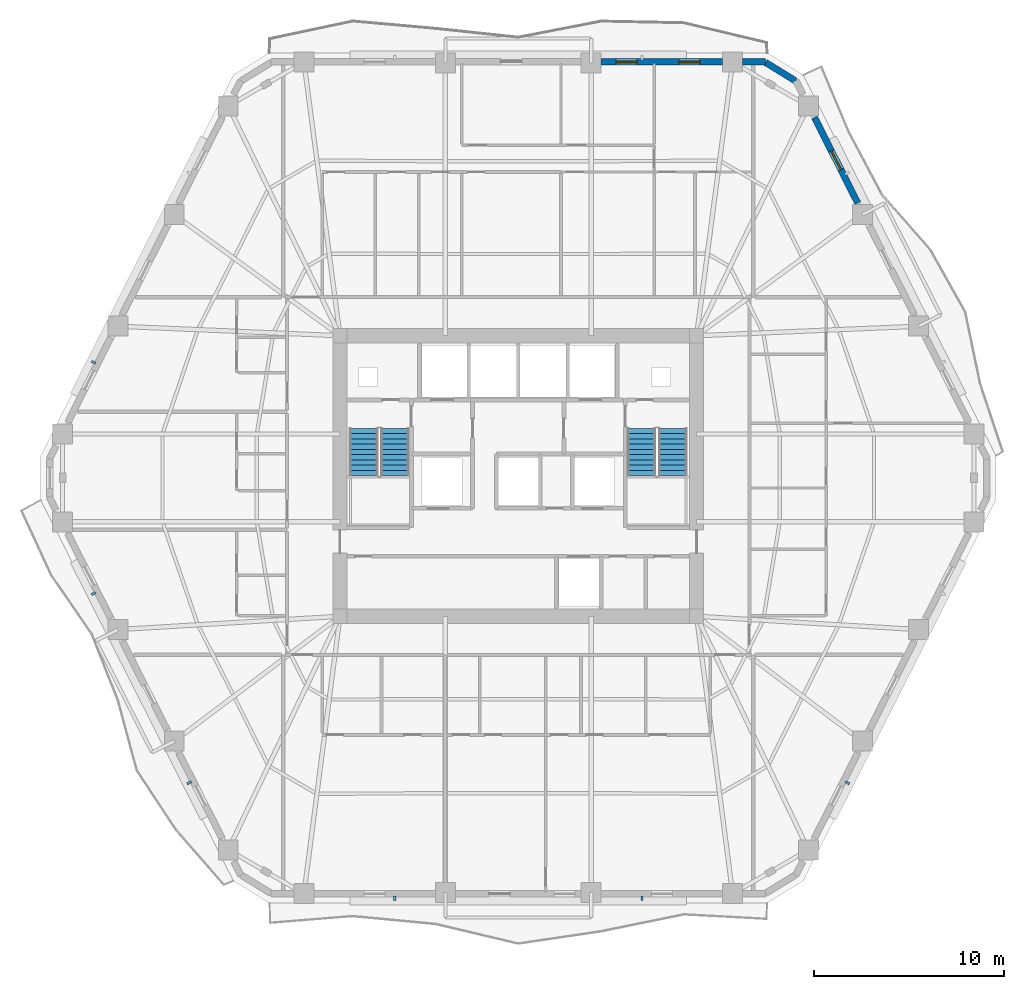
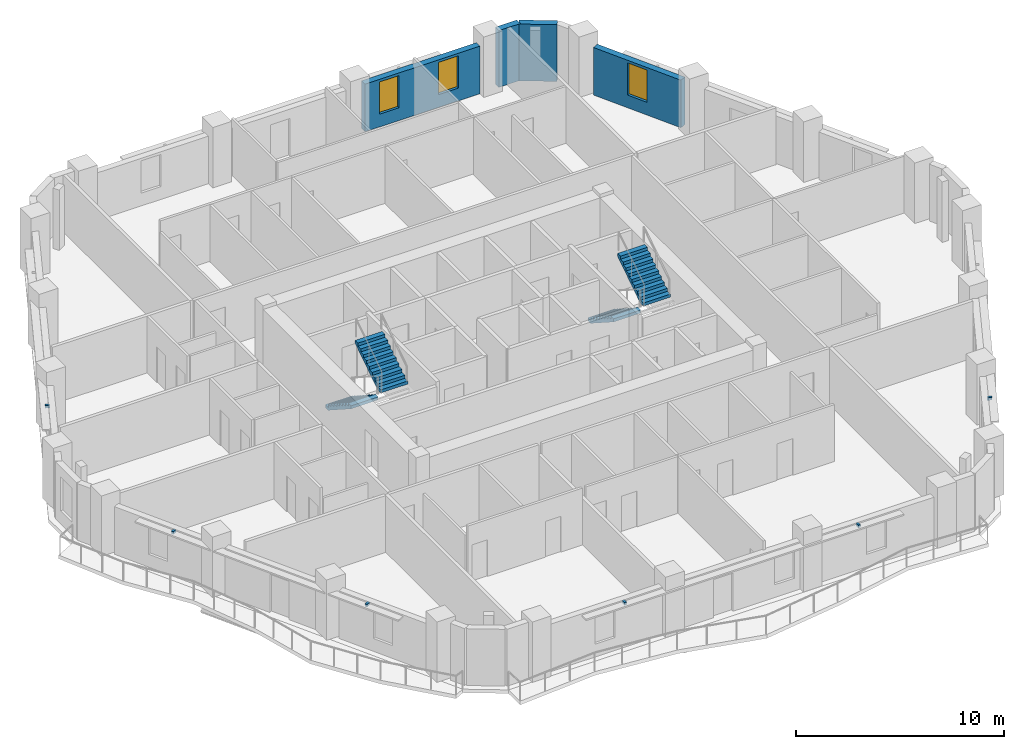
# One storey, part 8 of 12: 6 discrete accessories, 4 stair flights, 4 walls, 3 windows, 3 openings, 2 elements without a shape of their own.
"""IFC4 building model written with IfcOpenShell, lengths in metres."""

from ifc_helpers import new_model, si_unit, direction, frame, frame_2d, origin, origin_2d, place, context, subcontext, project, spatial, polyline, rectangle, outline, extrude, material, layer, layer_set, type_object, element, fill, aggregate, save


model = new_model("IFC4")

# Units and contexts
model_context = context("Model", 3, precision=1e-05, world=origin(), true_north=direction((0.0, 1.0)))
body_context = subcontext(model_context, "Body", "Model", "MODEL_VIEW")
ifc_project = project(units=[si_unit("LENGTHUNIT", "METRE"), si_unit("AREAUNIT", "SQUARE_METRE"), si_unit("VOLUMEUNIT", "CUBIC_METRE"), si_unit("PLANEANGLEUNIT", "RADIAN"), si_unit("MASSUNIT", "GRAM", prefix="KILO")], contexts=[model_context])

# Site, building, storey
site_placement = place(None, origin())
site = spatial("IfcSite", under=ifc_project, at=site_placement, CompositionType="ELEMENT")
building_placement = place(site_placement, origin())
building = spatial("IfcBuilding", under=site, at=building_placement, Name="Cinnabar Lancet Tower", CompositionType="ELEMENT")
storey_placement = place(building_placement, frame((0.0, 0.0, 112.60009765625)))
storey = spatial("IfcBuildingStorey", under=building, at=storey_placement, Name="L29", CompositionType="ELEMENT", Elevation=112.60009765625)

# Wall
ifc_material_1 = material(Name="Cinnabar red clay brick", Category="masonry")
ifc_layer = layer(ifc_material_1, 0.340087890625)
ifc_layer_set = layer_set([ifc_layer], Name="Cinnabar red clay brick")
wall_type = type_object("IfcWallType", Name="ENV-WL-BRK-RED-340", PredefinedType="STANDARD", material=ifc_layer_set)
wall_1_placement = place(storey_placement, frame((46.970947265625, 46.677001953125, 0.0), z_axis=(0.0, 0.0, 1.0), x_axis=(-0.851798915137, 0.523868884523, 0.0)))
element("IfcWall", 1, at=wall_1_placement, inside=storey, type_object=wall_type, Name="L29 Chamfered Corner Brick Pier 4.1", PredefinedType="STANDARD", context=body_context, shape_type="SweptSolid", body=[
    extrude(rectangle(XDim=1.847900390625, YDim=0.340087890625, at=frame_2d((0.923828125, 0.0))), origin(), (0.0, 0.0, 1.0), 3.33984375),
])

# Wall, opening, window
wall_2_placement = place(storey_placement, frame((50.2509765625, 40.2509765625, 0.0), z_axis=(0.0, 0.0, 1.0), x_axis=(-0.451548465867, 0.892246593142, 0.0)))
wall_2 = element("IfcWall", 2, at=wall_2_placement, inside=storey, type_object=wall_type, Name="L29 Face 3 Masonry Bay Wall 4", PredefinedType="STANDARD", context=body_context, shape_type="SweptSolid", body=[
    extrude(rectangle(XDim=5.040283203125, YDim=0.340087890625, at=frame_2d((2.52001953125, 0.0))), origin(), (0.0, 0.0, 1.0), 2.796875),
])
opening_1_placement = place(wall_2_placement, frame((1.969970703125, 0.0, 0.75)))
opening_1 = element("IfcOpeningElement", 3, at=opening_1_placement, cuts=wall_2, Name="Opening WN-04", PredefinedType="OPENING", context=body_context, shape_type="SweptSolid", body=[
    extrude(rectangle(XDim=1.10009765625, YDim=1.89697265625, at=frame_2d((0.550048828125, 0.948486328125))), frame((0.0, 0.179931640625, 0.0), z_axis=(0.0, -1.0, 0.0), x_axis=(1.0, 0.0, 0.0)), (0.0, 0.0, 1.0), 0.360107421875),
])
ifc_material_2 = material(Name="Thermally broken bronze-anodized aluminium tall lancet window", Category="aluminium")
window_type = type_object("IfcWindowType", Name="ENV-WN-LANCET-1100", PartitioningType="SINGLE_PANEL", PredefinedType="WINDOW", material=ifc_material_2)
window_1_placement = place(opening_1_placement, origin())
window_1 = element("IfcWindow", 4, at=window_1_placement, inside=storey, type_object=window_type, Name="L29 Face 3 Gothic Lancet Window 4", OverallHeight=1.89697265625, OverallWidth=1.10009765625, PartitioningType="SINGLE_PANEL", PredefinedType="WINDOW", context=body_context, shape_type="SweptSolid", body=[
    extrude(rectangle(XDim=1.10009765625, YDim=1.89697265625, at=frame_2d((0.550048828125, 0.948486328125))), frame((0.0, 0.030029296875, 0.0), z_axis=(0.0, -1.0, 0.0), x_axis=(1.0, 0.0, 0.0)), (0.0, 0.0, 1.0), 0.06005859375),
])
fill(opening_1, window_1)

# Wall
wall_3_placement = place(storey_placement, frame((45.402099609375, 47.669921875, 0.0), z_axis=(0.0, 0.0, 1.0), x_axis=(-1.0, 0.0, 0.0)))
element("IfcWall", 5, at=wall_3_placement, inside=storey, type_object=wall_type, Name="L29 Face 4 Masonry Bay Wall 1", PredefinedType="STANDARD", context=body_context, shape_type="SweptSolid", body=[
    extrude(rectangle(XDim=1.2041015625, YDim=0.340087890625, at=frame_2d((0.60205078125, 0.0))), origin(), (0.0, 0.0, 1.0), 3.33984375),
])

# Wall, openings, windows
wall_4_placement = place(storey_placement, frame((43.139892578125, 47.669921875, 0.0), z_axis=(0.0, 0.0, 1.0), x_axis=(-1.0, 0.0, 0.0)))
wall_4 = element("IfcWall", 6, at=wall_4_placement, inside=storey, type_object=wall_type, Name="L29 Face 4 Masonry Bay Wall 2", PredefinedType="STANDARD", context=body_context, shape_type="SweptSolid", body=[
    extrude(rectangle(XDim=6.37890625, YDim=0.340087890625, at=frame_2d((3.189453125, 0.0))), origin(), (0.0, 0.0, 1.0), 2.796875),
])
opening_2_placement = place(wall_4_placement, frame((1.19189453125, 0.0, 0.75)))
opening_2 = element("IfcOpeningElement", 7, at=opening_2_placement, cuts=wall_4, Name="Opening WN-04", PredefinedType="OPENING", context=body_context, shape_type="SweptSolid", body=[
    extrude(rectangle(XDim=1.10009765625, YDim=1.89697265625, at=frame_2d((0.550048828125, 0.948486328125))), frame((0.0, 0.179931640625, 0.0), z_axis=(0.0, -1.0, 0.0), x_axis=(1.0, 0.0, 0.0)), (0.0, 0.0, 1.0), 0.360107421875),
])
opening_3_placement = place(wall_4_placement, frame((4.493896484375, 0.0, 0.75)))
opening_3 = element("IfcOpeningElement", 8, at=opening_3_placement, cuts=wall_4, Name="Opening WN-04", PredefinedType="OPENING", context=body_context, shape_type="SweptSolid", body=[
    extrude(rectangle(XDim=1.10009765625, YDim=1.89697265625, at=frame_2d((0.550048828125, 0.948486328125))), frame((0.0, 0.179931640625, 0.0), z_axis=(0.0, -1.0, 0.0), x_axis=(1.0, 0.0, 0.0)), (0.0, 0.0, 1.0), 0.360107421875),
])
window_2_placement = place(opening_2_placement, origin())
window_2 = element("IfcWindow", 9, at=window_2_placement, inside=storey, type_object=window_type, Name="L29 Face 4 Gothic Lancet Window 2", OverallHeight=1.89697265625, OverallWidth=1.10009765625, PartitioningType="SINGLE_PANEL", PredefinedType="WINDOW", context=body_context, shape_type="SweptSolid", body=[
    extrude(rectangle(XDim=1.10009765625, YDim=1.89697265625, at=frame_2d((0.550048828125, 0.948486328125))), frame((0.0, 0.030029296875, 0.0), z_axis=(0.0, -1.0, 0.0), x_axis=(1.0, 0.0, 0.0)), (0.0, 0.0, 1.0), 0.06005859375),
])
fill(opening_2, window_2)
window_3_placement = place(opening_3_placement, origin())
window_3 = element("IfcWindow", 10, at=window_3_placement, inside=storey, type_object=window_type, Name="L29 Split-Bay Gothic Lancet Window 95", OverallHeight=1.89697265625, OverallWidth=1.10009765625, PartitioningType="SINGLE_PANEL", PredefinedType="WINDOW", context=body_context, shape_type="SweptSolid", body=[
    extrude(rectangle(XDim=1.10009765625, YDim=1.89697265625, at=frame_2d((0.550048828125, 0.948486328125))), frame((0.0, 0.030029296875, 0.0), z_axis=(0.0, -1.0, 0.0), x_axis=(1.0, 0.0, 0.0)), (0.0, 0.0, 1.0), 0.06005859375),
])
fill(opening_3, window_3)

# Stair, stair flights
ifc_material_3 = material(Name="Concrete C40/50", Category="concrete")
stair_type = type_object("IfcStairType", Name="ST-CORE", PredefinedType="HALF_TURN_STAIR", material=ifc_material_3)
stair_1_placement = place(storey_placement, origin())
stair_1 = element("IfcStair", 11, at=stair_1_placement, inside=storey, type_object=stair_type, Name="L29 ST-1", PredefinedType="HALF_TURN_STAIR")
ifc_material_4 = material(Name="Concrete C40/50", Category="concrete")
stair_flight_type = type_object("IfcStairFlightType", Name="FLIGHT-CORE", PredefinedType="STRAIGHT", material=ifc_material_4)
stair_flight_1_placement = place(storey_placement, frame((24.27490234375, 28.39990234375, 0.0), z_axis=(0.0, 0.0, 1.0), x_axis=(0.0, -1.0, 0.0)))
stair_flight_1 = element("IfcStairFlight", 12, at=stair_flight_1_placement, type_object=stair_flight_type, Name="ST-1 flight 1", NumberOfRisers=10, NumberOfTreads=9, PredefinedType="STRAIGHT", RiserHeight=0.1775, TreadLength=0.275, context=body_context, shape_type="SweptSolid", body=[
    extrude(outline(polyline([(0.0, 0.0), (0.0, 0.177490234375), (0.27490234375, 0.177490234375), (0.27490234375, 0.35498046875), (0.550048828125, 0.35498046875), (0.550048828125, 0.532470703125), (0.824951171875, 0.532470703125), (0.824951171875, 0.7099609375), (1.10009765625, 0.7099609375), (1.10009765625, 0.887451171875), (1.375, 0.887451171875), (1.375, 1.06494140625), (1.64990234375, 1.06494140625), (1.64990234375, 1.242431640625), (1.925048828125, 1.242431640625), (1.925048828125, 1.419921875), (2.199951171875, 1.419921875), (2.199951171875, 1.597412109375), (2.47509765625, 1.597412109375), (2.47509765625, 1.77490234375), (2.47509765625, 1.419189453125), (0.2763671875, 0.0), (0.0, 0.0)])), frame((0.0, 0.75, 0.0), z_axis=(0.0, -1.0, 0.0), x_axis=(1.0, 0.0, 0.0)), (0.0, 0.0, 1.0), 1.5),
])
stair_flight_2_placement = place(storey_placement, frame((25.925048828125, 25.925048828125, 1.77490234375), z_axis=(0.0, 0.0, 1.0), x_axis=(0.0, 1.0, 0.0)))
stair_flight_2 = element("IfcStairFlight", 13, at=stair_flight_2_placement, type_object=stair_flight_type, Name="ST-1 flight 2", NumberOfRisers=10, NumberOfTreads=9, PredefinedType="STRAIGHT", RiserHeight=0.1775, TreadLength=0.275, context=body_context, shape_type="SweptSolid", body=[
    extrude(outline(polyline([(0.0, 0.0), (0.0, 0.177490234375), (0.27490234375, 0.177490234375), (0.27490234375, 0.35498046875), (0.550048828125, 0.35498046875), (0.550048828125, 0.532470703125), (0.824951171875, 0.532470703125), (0.824951171875, 0.7099609375), (1.10009765625, 0.7099609375), (1.10009765625, 0.887451171875), (1.375, 0.887451171875), (1.375, 1.06494140625), (1.64990234375, 1.06494140625), (1.64990234375, 1.242431640625), (1.925048828125, 1.242431640625), (1.925048828125, 1.419921875), (2.199951171875, 1.419921875), (2.199951171875, 1.597412109375), (2.47509765625, 1.597412109375), (2.47509765625, 1.77490234375), (2.47509765625, 1.419189453125), (0.2763671875, 0.0), (0.0, 0.0)])), frame((0.0, 0.75, 0.0), z_axis=(0.0, -1.0, 0.0), x_axis=(1.0, 0.0, 0.0)), (0.0, 0.0, 1.0), 1.5),
])
aggregate(stair_1, [stair_flight_1, stair_flight_2])

stair_2_placement = place(storey_placement, origin())
stair_2 = element("IfcStair", 14, at=stair_2_placement, inside=storey, type_object=stair_type, Name="L29 ST-2", PredefinedType="HALF_TURN_STAIR")
stair_flight_3_placement = place(storey_placement, frame((38.875, 28.39990234375, 0.0), z_axis=(0.0, 0.0, 1.0), x_axis=(0.0, -1.0, 0.0)))
stair_flight_3 = element("IfcStairFlight", 15, at=stair_flight_3_placement, type_object=stair_flight_type, Name="ST-2 flight 1", NumberOfRisers=10, NumberOfTreads=9, PredefinedType="STRAIGHT", RiserHeight=0.1775, TreadLength=0.275, context=body_context, shape_type="SweptSolid", body=[
    extrude(outline(polyline([(0.0, 0.0), (0.0, 0.177490234375), (0.27490234375, 0.177490234375), (0.27490234375, 0.35498046875), (0.550048828125, 0.35498046875), (0.550048828125, 0.532470703125), (0.824951171875, 0.532470703125), (0.824951171875, 0.7099609375), (1.10009765625, 0.7099609375), (1.10009765625, 0.887451171875), (1.375, 0.887451171875), (1.375, 1.06494140625), (1.64990234375, 1.06494140625), (1.64990234375, 1.242431640625), (1.925048828125, 1.242431640625), (1.925048828125, 1.419921875), (2.199951171875, 1.419921875), (2.199951171875, 1.597412109375), (2.47509765625, 1.597412109375), (2.47509765625, 1.77490234375), (2.47509765625, 1.419189453125), (0.2763671875, 0.0), (0.0, 0.0)])), frame((0.0, 0.75, 0.0), z_axis=(0.0, -1.0, 0.0), x_axis=(1.0, 0.0, 0.0)), (0.0, 0.0, 1.0), 1.5),
])
stair_flight_4_placement = place(storey_placement, frame((40.52490234375, 25.925048828125, 1.77490234375), z_axis=(0.0, 0.0, 1.0), x_axis=(0.0, 1.0, 0.0)))
stair_flight_4 = element("IfcStairFlight", 16, at=stair_flight_4_placement, type_object=stair_flight_type, Name="ST-2 flight 2", NumberOfRisers=10, NumberOfTreads=9, PredefinedType="STRAIGHT", RiserHeight=0.1775, TreadLength=0.275, context=body_context, shape_type="SweptSolid", body=[
    extrude(outline(polyline([(0.0, 0.0), (0.0, 0.177490234375), (0.27490234375, 0.177490234375), (0.27490234375, 0.35498046875), (0.550048828125, 0.35498046875), (0.550048828125, 0.532470703125), (0.824951171875, 0.532470703125), (0.824951171875, 0.7099609375), (1.10009765625, 0.7099609375), (1.10009765625, 0.887451171875), (1.375, 0.887451171875), (1.375, 1.06494140625), (1.64990234375, 1.06494140625), (1.64990234375, 1.242431640625), (1.925048828125, 1.242431640625), (1.925048828125, 1.419921875), (2.199951171875, 1.419921875), (2.199951171875, 1.597412109375), (2.47509765625, 1.597412109375), (2.47509765625, 1.77490234375), (2.47509765625, 1.419189453125), (0.2763671875, 0.0), (0.0, 0.0)])), frame((0.0, 0.75, 0.0), z_axis=(0.0, -1.0, 0.0), x_axis=(1.0, 0.0, 0.0)), (0.0, 0.0, 1.0), 1.5),
])
aggregate(stair_2, [stair_flight_3, stair_flight_4])

# Discrete accessories
ifc_material_5 = material(Name="Stainless steel 316 facade fixing bracket", Category="steel")
discrete_accessory_type = type_object("IfcDiscreteAccessoryType", Name="ENV-ACC-BRK-180", PredefinedType="BRACKET", material=ifc_material_5)
for number, where, z_axis, x_axis, name in (
    (17, (25.89892578125, 3.7099609375, 2.60009765625), (0.0, 0.0, 1.0), (1.0, 0.0, 0.0), "L29 Face 1 Sunshade Bracket A"),
    (18, (38.90087890625, 3.7099609375, 2.60009765625), (0.0, 0.0, 1.0), (1.0, 0.0, 0.0), "L29 Face 1 Sunshade Bracket B"),
    (19, (49.698974609375, 9.77197265625, 2.60009765625), (0.0, 0.0, 1.0), (0.451453853408, 0.892294468347, 0.0), "L29 Face 2 Sunshade Bracket A"),
    (20, (10.070068359375, 31.883056640625, 2.60009765625), (0.0, 0.0, 1.0), (-0.451453853408, -0.892294468347, 0.0), "L29 Face 5 Sunshade Bracket B"),
    (21, (10.070068359375, 19.717041015625, 2.60009765625), (0.0, 0.0, 1.0), (0.451453853408, -0.892294468347, 0.0), "L29 Face 6 Sunshade Bracket A"),
    (22, (15.10107421875, 9.77197265625, 2.60009765625), (0.0, 0.0, 1.0), (0.451453853408, -0.892294468347, 0.0), "L29 Face 6 Sunshade Bracket B"),
):
    element("IfcDiscreteAccessory", number, at=place(storey_placement, frame(where, z_axis=z_axis, x_axis=x_axis)), inside=storey, type_object=discrete_accessory_type, Name=name, PredefinedType="BRACKET", context=body_context, shape_type="SweptSolid", body=[
        extrude(rectangle(XDim=0.1201171875, YDim=0.239990234375, at=origin_2d()), origin(), (0.0, 0.0, 1.0), 0.159912109375),
    ])

save(model, "model.ifc")
